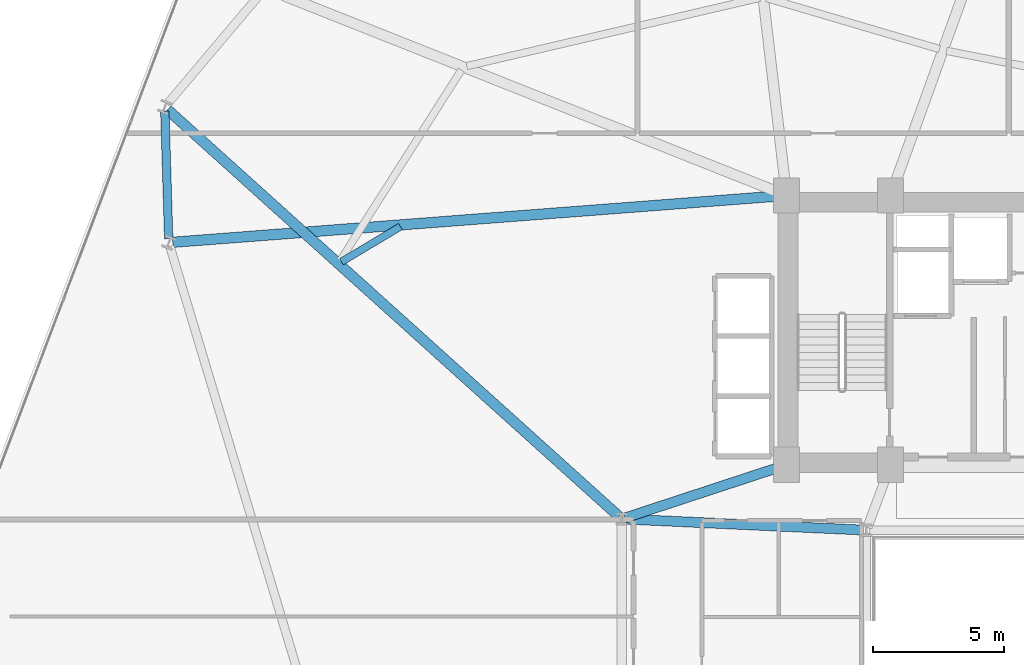
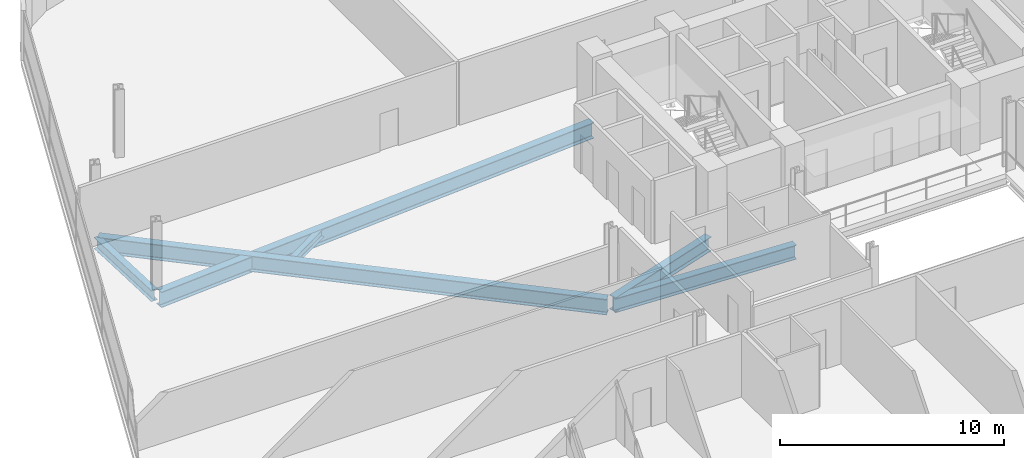
# One storey, part 7 of 25: 6 beams.
"""IFC4 building model written with IfcOpenShell, lengths in metres."""

from ifc_helpers import new_model, si_unit, direction, frame, origin, origin_2d, place, context, subcontext, project, spatial, i_section, extrude, material, material_profile, profile_set, type_object, element, save


model = new_model("IFC4")

# Units and contexts
model_context = context("Model", 3, precision=1e-05, world=origin(), true_north=direction((0.0, 1.0)))
body_context = subcontext(model_context, "Body", "Model", "MODEL_VIEW")
ifc_project = project(units=[si_unit("LENGTHUNIT", "METRE"), si_unit("AREAUNIT", "SQUARE_METRE"), si_unit("VOLUMEUNIT", "CUBIC_METRE"), si_unit("PLANEANGLEUNIT", "RADIAN"), si_unit("MASSUNIT", "GRAM", prefix="KILO")], contexts=[model_context])

# Site, building, storey
site_placement = place(None, origin())
site = spatial("IfcSite", under=ifc_project, at=site_placement, CompositionType="ELEMENT")
building_placement = place(site_placement, origin())
building = spatial("IfcBuilding", under=site, at=building_placement, Name="Varnelok Gate Tower", CompositionType="ELEMENT")
storey_placement = place(building_placement, frame((0.0, 0.0, 83.60009765625)))
storey = spatial("IfcBuildingStorey", under=building, at=storey_placement, Name="L20", CompositionType="ELEMENT", Elevation=83.60009765625)

# Beams
ifc_material = material(Name="Structural Steel ASTM A992 Grade 50", Category="steel")
ifc_material_profile_1 = material_profile(ifc_material, i_section(OverallWidth=0.280029296875, OverallDepth=0.462890625, WebThickness=0.0107421875, FlangeThickness=0.017333984375, FilletRadius=0.014892578125, at=origin_2d()), Name="W18X76")
ifc_profile_set_1 = profile_set([ifc_material_profile_1], Name="Structural Steel ASTM A992 Grade 50")
beam_type_1 = type_object("IfcBeamType", Name="BM-JST-W18X76", PredefinedType="JOIST", material=ifc_profile_set_1)
beam_1_placement = place(storey_placement, frame((13.684814453125, 36.51513671875, -0.481689453125), z_axis=(0.858542699805, 0.512742072208, 0.0), x_axis=(-0.512742072208, 0.858542699805, 0.0)))
element("IfcBeam", 1, at=beam_1_placement, inside=storey, type_object=beam_type_1, Name="L20 Sector Floor Joist 13", PredefinedType="JOIST", context=body_context, shape_type="SweptSolid", body=[
    extrude(i_section(OverallWidth=0.280029296875, OverallDepth=0.462890625, WebThickness=0.0107421875, FlangeThickness=0.017333984375, FilletRadius=0.014892578125, at=origin_2d()), origin(), (0.0, 0.0, 1.0), 2.6220703125),
])
ifc_material_profile_2 = material_profile(ifc_material, i_section(OverallWidth=0.381103515625, OverallDepth=0.77294921875, WebThickness=0.0166015625, FlangeThickness=0.027099609375, FilletRadius=0.02197265625, at=origin_2d()), Name="W30X173")
ifc_profile_set_2 = profile_set([ifc_material_profile_2], Name="Structural Steel ASTM A992 Grade 50")
beam_type_2 = type_object("IfcBeamType", Name="BM-PRI-W30X173", PredefinedType="BEAM", material=ifc_profile_set_2)
beam_2_placement = place(storey_placement, frame((24.52001953125, 26.674560546875, -0.63671875), z_axis=(0.99894427814, -0.045938319209, 0.0), x_axis=(0.045938319209, 0.99894427814, 0.0)))
element("IfcBeam", 2, at=beam_2_placement, inside=storey, type_object=beam_type_2, Name="L20 Core-Atrium Spine Beam 15", PredefinedType="BEAM", context=body_context, shape_type="SweptSolid", body=[
    extrude(i_section(OverallWidth=0.381103515625, OverallDepth=0.77294921875, WebThickness=0.0166015625, FlangeThickness=0.027099609375, FilletRadius=0.02197265625, at=origin_2d()), origin(), (0.0, 0.0, 1.0), 9.11962890625),
])
beam_3_placement = place(storey_placement, frame((24.513916015625, 26.717529296875, -0.63671875), z_axis=(0.950041943788, 0.312122259768, 0.0), x_axis=(-0.312122259768, 0.950041943788, 0.0)))
element("IfcBeam", 3, at=beam_3_placement, inside=storey, type_object=beam_type_2, Name="L20 Core-Atrium Spine Beam 17", PredefinedType="BEAM", context=body_context, shape_type="SweptSolid", body=[
    extrude(i_section(OverallWidth=0.381103515625, OverallDepth=0.77294921875, WebThickness=0.0166015625, FlangeThickness=0.027099609375, FilletRadius=0.02197265625, at=origin_2d()), origin(), (0.0, 0.0, 1.0), 6.391357421875),
])
ifc_material_profile_3 = material_profile(ifc_material, i_section(OverallWidth=0.39892578125, OverallDepth=0.85498046875, WebThickness=0.018310546875, FlangeThickness=0.029296875, FilletRadius=0.02392578125, at=origin_2d()), Name="W33X201")
ifc_profile_set_3 = profile_set([ifc_material_profile_3], Name="Structural Steel ASTM A992 Grade 50")
beam_type_3 = type_object("IfcBeamType", Name="BM-PRI-W33X201", PredefinedType="BEAM", material=ifc_profile_set_3)
beam_4_placement = place(storey_placement, frame((24.28857421875, 26.780517578125, -0.677490234375), z_axis=(-0.742906696972, 0.669394980258, 0.0), x_axis=(-0.669394980258, -0.742906696972, 0.0)))
element("IfcBeam", 4, at=beam_4_placement, inside=storey, type_object=beam_type_3, Name="L20 Radial Floor Girder 15", PredefinedType="BEAM", context=body_context, shape_type="SweptSolid", body=[
    extrude(i_section(OverallWidth=0.39892578125, OverallDepth=0.85498046875, WebThickness=0.018310546875, FlangeThickness=0.029296875, FilletRadius=0.02392578125, at=origin_2d()), origin(), (0.0, 0.0, 1.0), 23.224609375),
])
beam_5_placement = place(storey_placement, frame((30.55029296875, 39.03857421875, -0.677490234375), z_axis=(-0.997095422745, -0.076162444427, 0.0), x_axis=(0.076162444427, -0.997095422745, 0.0)))
element("IfcBeam", 5, at=beam_5_placement, inside=storey, type_object=beam_type_3, Name="L20 Radial Floor Girder 16", PredefinedType="BEAM", context=body_context, shape_type="SweptSolid", body=[
    extrude(i_section(OverallWidth=0.39892578125, OverallDepth=0.85498046875, WebThickness=0.018310546875, FlangeThickness=0.029296875, FilletRadius=0.02392578125, at=origin_2d()), origin(), (0.0, 0.0, 1.0), 23.387451171875),
])
ifc_material_profile_4 = material_profile(ifc_material, i_section(OverallWidth=0.323974609375, OverallDepth=0.611083984375, WebThickness=0.0126953125, FlangeThickness=0.01904296875, FilletRadius=0.01806640625, at=origin_2d()), Name="W24X104")
ifc_profile_set_4 = profile_set([ifc_material_profile_4], Name="Structural Steel ASTM A992 Grade 50")
beam_type_4 = type_object("IfcBeamType", Name="BM-SPN-W24X104", PredefinedType="SPANDREL", material=ifc_profile_set_4)
beam_6_placement = place(storey_placement, frame((6.927978515625, 42.277587890625, -0.5556640625), z_axis=(0.030393553869, -0.999538009224, 0.0), x_axis=(0.999538009224, 0.030393553869, 0.0)))
element("IfcBeam", 6, at=beam_6_placement, inside=storey, type_object=beam_type_4, Name="L20 Perimeter Spandrel Beam 15", PredefinedType="SPANDREL", context=body_context, shape_type="SweptSolid", body=[
    extrude(i_section(OverallWidth=0.323974609375, OverallDepth=0.611083984375, WebThickness=0.0126953125, FlangeThickness=0.01904296875, FilletRadius=0.01806640625, at=origin_2d()), origin(), (0.0, 0.0, 1.0), 4.8837890625),
])

save(model, "model.ifc")
